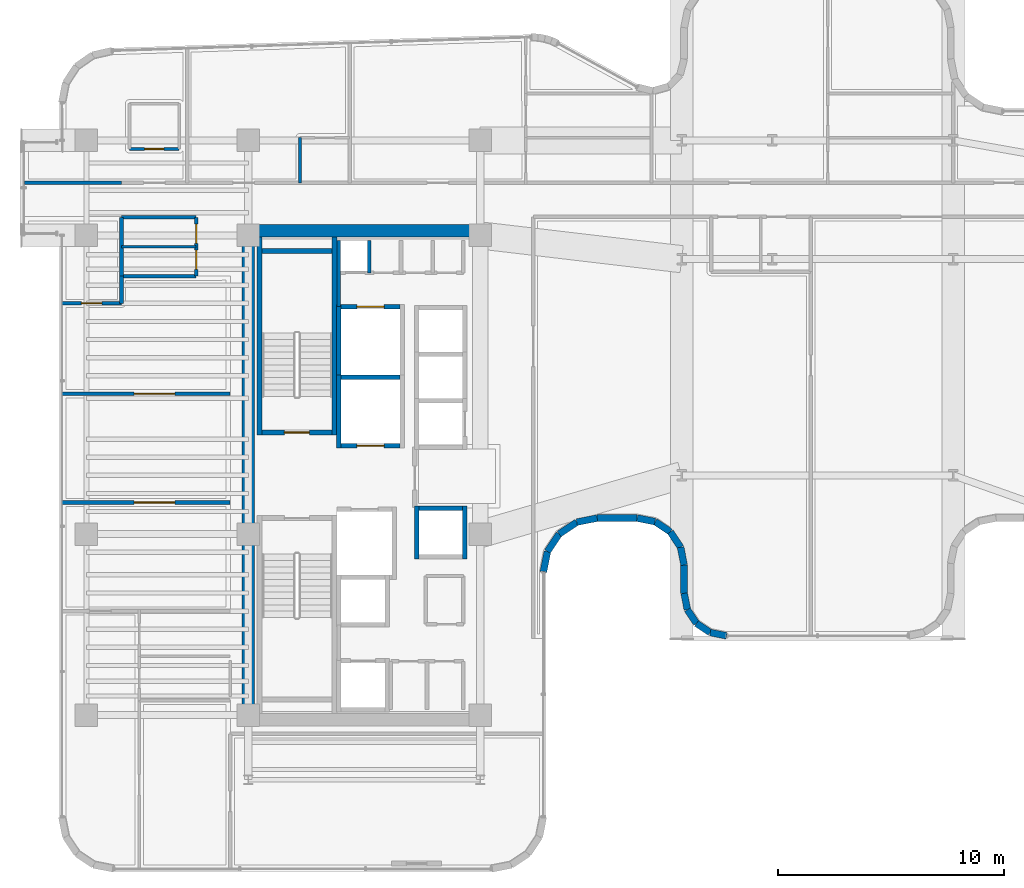
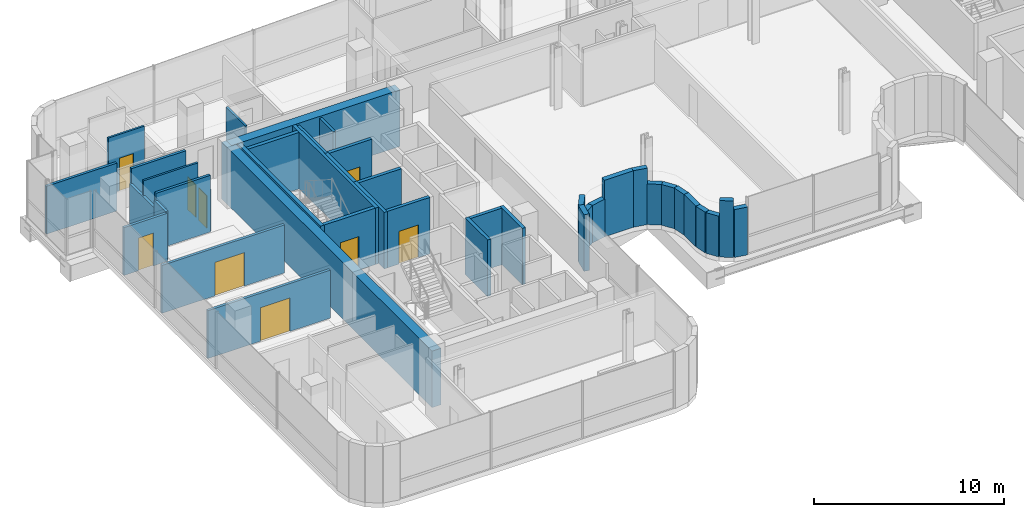
# One storey, part 28 of 39: 42 walls, 9 doors, 9 openings.
"""IFC4 building model written with IfcOpenShell, lengths in metres."""

from ifc_helpers import new_model, si_unit, direction, frame, frame_2d, origin, place, context, subcontext, project, spatial, rectangle, extrude, material, layer, layer_set, type_object, element, fill, save


model = new_model("IFC4")

# Units and contexts
model_context = context("Model", 3, precision=1e-05, world=origin(), true_north=direction((0.0, 1.0)))
body_context = subcontext(model_context, "Body", "Model", "MODEL_VIEW")
ifc_project = project(units=[si_unit("LENGTHUNIT", "METRE"), si_unit("AREAUNIT", "SQUARE_METRE"), si_unit("VOLUMEUNIT", "CUBIC_METRE"), si_unit("PLANEANGLEUNIT", "RADIAN"), si_unit("MASSUNIT", "GRAM", prefix="KILO")], contexts=[model_context])

# Site, building, storey
site_placement = place(None, origin())
site = spatial("IfcSite", under=ifc_project, at=site_placement, CompositionType="ELEMENT")
building_placement = place(site_placement, origin())
building = spatial("IfcBuilding", under=site, at=building_placement, Name="Valdorenza Pilgrim Sanctuary Tower", CompositionType="ELEMENT")
storey_placement = place(building_placement, frame((0.0, 0.0, 184.449951171875)))
storey = spatial("IfcBuildingStorey", under=building, at=storey_placement, Name="L47", CompositionType="ELEMENT", Elevation=184.449951171875)

# Walls
ifc_material_1 = material(Name="Acoustic twin-stud gypsum partition", Category="gypsum")
ifc_layer_1 = layer(ifc_material_1, 0.159912109375, Name="Acoustic twin-stud gypsum partition")
ifc_layer_set_1 = layer_set([ifc_layer_1], Name="Acoustic twin-stud gypsum partition")
wall_type_1 = type_object("IfcWallType", Name="WAL-COR-160", PredefinedType="PARTITIONING", material=ifc_layer_set_1)
wall_1_placement = place(storey_placement, frame((-18.64990234375, 7.449951171875, 0.0), z_axis=(0.0, 0.0, 1.0), x_axis=(0.0, 1.0, 0.0)))
element("IfcWall", 1, at=wall_1_placement, inside=storey, type_object=wall_type_1, Name="L47 Core A North Service West Wall", PredefinedType="PARTITIONING", context=body_context, shape_type="SweptSolid", body=[
    extrude(rectangle(XDim=2.929931640625, YDim=0.159912109375, at=frame_2d((1.46484375, 0.0))), origin(), (0.0, 0.0, 1.0), 3.630126953125),
])
wall_2_placement = place(storey_placement, frame((-17.300048828125, 8.949951171875, 0.0), z_axis=(0.0, 0.0, 1.0), x_axis=(0.0, 1.0, 0.0)))
element("IfcWall", 2, at=wall_2_placement, inside=storey, type_object=wall_type_1, Name="L47 Core Electrical Riser Wall", PredefinedType="PARTITIONING", context=body_context, shape_type="SweptSolid", body=[
    extrude(rectangle(XDim=1.429931640625, YDim=0.159912109375, at=frame_2d((0.71484375, 0.0))), origin(), (0.0, 0.0, 1.0), 3.630126953125),
])
wall_3_placement = place(storey_placement, frame((-28.25, 8.800048828125, 0.0), z_axis=(0.0, 0.0, 1.0), x_axis=(0.0, 1.0, 0.0)))
element("IfcWall", 3, at=wall_3_placement, inside=storey, type_object=wall_type_1, Name="L47 Washroom West Wall", PredefinedType="PARTITIONING", context=body_context, shape_type="SweptSolid", body=[
    extrude(rectangle(XDim=2.599853515625, YDim=0.159912109375, at=frame_2d((1.2998046875, 0.0))), origin(), (0.0, 0.0, 1.0), 2.6650390625),
])

# Wall, openings, doors
wall_4_placement = place(storey_placement, frame((-24.949951171875, 8.800048828125, 0.0), z_axis=(0.0, 0.0, 1.0), x_axis=(0.0, 1.0, 0.0)))
wall_4 = element("IfcWall", 4, at=wall_4_placement, inside=storey, type_object=wall_type_1, Name="L47 Washroom East Wall", PredefinedType="PARTITIONING", context=body_context, shape_type="SweptSolid", body=[
    extrude(rectangle(XDim=2.599853515625, YDim=0.159912109375, at=frame_2d((1.2998046875, 0.0))), origin(), (0.0, 0.0, 1.0), 2.6650390625),
])
opening_1_placement = place(wall_4_placement, frame((0.300048828125, 0.0, 0.0)))
opening_1 = element("IfcOpeningElement", 5, at=opening_1_placement, cuts=wall_4, Name="Opening DR-WC1", PredefinedType="OPENING", context=body_context, shape_type="SweptSolid", body=[
    extrude(rectangle(XDim=0.85009765625, YDim=2.10009765625, at=frame_2d((0.425048828125, 1.050048828125))), frame((0.0, 0.0947265625, 0.0), z_axis=(0.0, -1.0, 0.0), x_axis=(1.0, 0.0, 0.0)), (0.0, 0.0, 1.0), 0.189697265625),
])
opening_2_placement = place(wall_4_placement, frame((1.449951171875, 0.0, 0.0)))
opening_2 = element("IfcOpeningElement", 6, at=opening_2_placement, cuts=wall_4, Name="Opening DR-WC1", PredefinedType="OPENING", context=body_context, shape_type="SweptSolid", body=[
    extrude(rectangle(XDim=0.85009765625, YDim=2.10009765625, at=frame_2d((0.425048828125, 1.050048828125))), frame((0.0, 0.0947265625, 0.0), z_axis=(0.0, -1.0, 0.0), x_axis=(1.0, 0.0, 0.0)), (0.0, 0.0, 1.0), 0.189697265625),
])
ifc_material_2 = material(Name="Moisture-resistant lacquered timber", Category="wood")
door_type_1 = type_object("IfcDoorType", Name="DR-BATH-850", OperationType="NOTDEFINED", PredefinedType="DOOR", material=ifc_material_2)
door_1_placement = place(opening_1_placement, origin())
door_1 = element("IfcDoor", 7, at=door_1_placement, inside=storey, type_object=door_type_1, Name="L47 Accessible Washroom Door", OperationType="SINGLE_SWING_RIGHT", OverallHeight=2.10009765625, OverallWidth=0.85009765625, PredefinedType="DOOR", context=body_context, shape_type="SweptSolid", body=[
    extrude(rectangle(XDim=0.85009765625, YDim=2.10009765625, at=frame_2d((0.425048828125, 1.050048828125))), frame((0.0, 0.02490234375, 0.0), z_axis=(0.0, -1.0, 0.0), x_axis=(1.0, 0.0, 0.0)), (0.0, 0.0, 1.0), 0.050048828125),
])
fill(opening_1, door_1)
door_2_placement = place(opening_2_placement, origin())
door_2 = element("IfcDoor", 8, at=door_2_placement, inside=storey, type_object=door_type_1, Name="L47 Public Washroom Door", OperationType="SINGLE_SWING_LEFT", OverallHeight=2.10009765625, OverallWidth=0.85009765625, PredefinedType="DOOR", context=body_context, shape_type="SweptSolid", body=[
    extrude(rectangle(XDim=0.85009765625, YDim=2.10009765625, at=frame_2d((0.425048828125, 1.050048828125))), frame((0.0, 0.02490234375, 0.0), z_axis=(0.0, -1.0, 0.0), x_axis=(1.0, 0.0, 0.0)), (0.0, 0.0, 1.0), 0.050048828125),
])
fill(opening_2, door_2)

# Walls
for number, where, z_axis, x_axis, name in (
    (9, (-28.25, 8.800048828125, 0.0), (0.0, 0.0, 1.0), (1.0, 0.0, 0.0), "L47 Washroom South Wall"),
    (10, (-28.25, 11.39990234375, 0.0), (0.0, 0.0, 1.0), (1.0, 0.0, 0.0), "L47 Washroom North Wall"),
):
    element("IfcWall", number, at=place(storey_placement, frame(where, z_axis=z_axis, x_axis=x_axis)), inside=storey, type_object=wall_type_1, Name=name, PredefinedType="PARTITIONING", context=body_context, shape_type="SweptSolid", body=[
        extrude(rectangle(XDim=3.300048828125, YDim=0.159912109375, at=frame_2d((1.64990234375, 0.0))), origin(), (0.0, 0.0, 1.0), 3.630126953125),
    ])

# Wall, opening, door
wall_5_placement = place(storey_placement, frame((-30.889892578125, 7.60009765625, 0.0), z_axis=(0.0, 0.0, 1.0), x_axis=(1.0, 0.0, 0.0)))
wall_5 = element("IfcWall", 11, at=wall_5_placement, inside=storey, type_object=wall_type_1, Name="L47 Cloister North Room Wall", PredefinedType="PARTITIONING", context=body_context, shape_type="SweptSolid", body=[
    extrude(rectangle(XDim=2.639892578125, YDim=0.159912109375, at=frame_2d((1.31982421875, 0.0))), origin(), (0.0, 0.0, 1.0), 3.075927734375),
])
opening_3_placement = place(wall_5_placement, frame((0.8701171875, 0.0, 0.0)))
opening_3 = element("IfcOpeningElement", 12, at=opening_3_placement, cuts=wall_5, Name="Opening DR-RM1", PredefinedType="OPENING", context=body_context, shape_type="SweptSolid", body=[
    extrude(rectangle(XDim=0.89990234375, YDim=2.10009765625, at=frame_2d((0.449951171875, 1.050048828125))), frame((0.0, 0.0947265625, 0.0), z_axis=(0.0, -1.0, 0.0), x_axis=(1.0, 0.0, 0.0)), (0.0, 0.0, 1.0), 0.189697265625),
])
ifc_material_3 = material(Name="Solid-core European oak timber", Category="wood")
door_type_2 = type_object("IfcDoorType", Name="DR-ROOM-900", OperationType="NOTDEFINED", PredefinedType="DOOR", material=ifc_material_3)
door_3_placement = place(opening_3_placement, origin())
door_3 = element("IfcDoor", 13, at=door_3_placement, inside=storey, type_object=door_type_2, Name="L47 Pilgrim Scholar Office L47-1 Door", OperationType="SINGLE_SWING_RIGHT", OverallHeight=2.10009765625, OverallWidth=0.89990234375, PredefinedType="DOOR", context=body_context, shape_type="SweptSolid", body=[
    extrude(rectangle(XDim=0.89990234375, YDim=2.10009765625, at=frame_2d((0.449951171875, 1.050048828125))), frame((0.0, 0.02490234375, 0.0), z_axis=(0.0, -1.0, 0.0), x_axis=(1.0, 0.0, 0.0)), (0.0, 0.0, 1.0), 0.050048828125),
])
fill(opening_3, door_3)

# Wall
wall_6_placement = place(storey_placement, frame((-28.25, 7.60009765625, 0.0), z_axis=(0.0, 0.0, 1.0), x_axis=(0.0, 1.0, 0.0)))
element("IfcWall", 14, at=wall_6_placement, inside=storey, type_object=wall_type_1, Name="L47 Cloister NE Closure", PredefinedType="PARTITIONING", context=body_context, shape_type="SweptSolid", body=[
    extrude(rectangle(XDim=1.199951171875, YDim=0.159912109375, at=frame_2d((0.60009765625, 0.0))), origin(), (0.0, 0.0, 1.0), 3.157958984375),
])

# Wall, opening, door
wall_7_placement = place(storey_placement, frame((-30.889892578125, -1.199951171875, 0.0), z_axis=(0.0, 0.0, 1.0), x_axis=(1.0, 0.0, 0.0)))
wall_7 = element("IfcWall", 15, at=wall_7_placement, inside=storey, type_object=wall_type_1, Name="L47 Cloister Mid Wall 1", PredefinedType="PARTITIONING", context=body_context, shape_type="SweptSolid", body=[
    extrude(rectangle(XDim=7.43994140625, YDim=0.159912109375, at=frame_2d((3.719970703125, 0.0))), origin(), (0.0, 0.0, 1.0), 3.075927734375),
])
opening_4_placement = place(wall_7_placement, frame((3.199951171875, 0.0, 0.0)))
opening_4 = element("IfcOpeningElement", 16, at=opening_4_placement, cuts=wall_7, Name="Opening DR-HL1", PredefinedType="OPENING", context=body_context, shape_type="SweptSolid", body=[
    extrude(rectangle(XDim=1.800048828125, YDim=2.14990234375, at=frame_2d((0.89990234375, 1.074951171875))), frame((0.0, 0.0947265625, 0.0), z_axis=(0.0, -1.0, 0.0), x_axis=(1.0, 0.0, 0.0)), (0.0, 0.0, 1.0), 0.189697265625),
])
ifc_material_4 = material(Name="Acoustic oak and vision-glass double door", Category="glass")
door_type_3 = type_object("IfcDoorType", Name="DR-HALL-1800", OperationType="NOTDEFINED", PredefinedType="DOOR", material=ifc_material_4)
door_4_placement = place(opening_4_placement, frame((1.800048828125, 0.0, 0.0), z_axis=(0.0, 0.0, 1.0), x_axis=(-1.0, 0.0, 0.0)))
door_4 = element("IfcDoor", 17, at=door_4_placement, inside=storey, type_object=door_type_3, Name="L47 Cloister South-Mid Double Door", OperationType="DOUBLE_DOOR_SINGLE_SWING", OverallHeight=2.14990234375, OverallWidth=1.800048828125, PredefinedType="DOOR", context=body_context, shape_type="SweptSolid", body=[
    extrude(rectangle(XDim=1.800048828125, YDim=2.14990234375, at=frame_2d((0.89990234375, 1.074951171875))), frame((0.0, 0.02490234375, 0.0), z_axis=(0.0, -1.0, 0.0), x_axis=(1.0, 0.0, 0.0)), (0.0, 0.0, 1.0), 0.050048828125),
])
fill(opening_4, door_4)

wall_8_placement = place(storey_placement, frame((-30.889892578125, 3.60009765625, 0.0), z_axis=(0.0, 0.0, 1.0), x_axis=(1.0, 0.0, 0.0)))
wall_8 = element("IfcWall", 18, at=wall_8_placement, inside=storey, type_object=wall_type_1, Name="L47 Cloister Mid Wall 2", PredefinedType="PARTITIONING", context=body_context, shape_type="SweptSolid", body=[
    extrude(rectangle(XDim=7.43994140625, YDim=0.159912109375, at=frame_2d((3.719970703125, 0.0))), origin(), (0.0, 0.0, 1.0), 3.075927734375),
])
opening_5_placement = place(wall_8_placement, frame((3.199951171875, 0.0, 0.0)))
opening_5 = element("IfcOpeningElement", 19, at=opening_5_placement, cuts=wall_8, Name="Opening DR-HL1", PredefinedType="OPENING", context=body_context, shape_type="SweptSolid", body=[
    extrude(rectangle(XDim=1.800048828125, YDim=2.14990234375, at=frame_2d((0.89990234375, 1.074951171875))), frame((0.0, 0.0947265625, 0.0), z_axis=(0.0, -1.0, 0.0), x_axis=(1.0, 0.0, 0.0)), (0.0, 0.0, 1.0), 0.189697265625),
])
door_5_placement = place(opening_5_placement, origin())
door_5 = element("IfcDoor", 20, at=door_5_placement, inside=storey, type_object=door_type_3, Name="L47 Cloister Mid-North Double Door", OperationType="DOUBLE_DOOR_SINGLE_SWING", OverallHeight=2.14990234375, OverallWidth=1.800048828125, PredefinedType="DOOR", context=body_context, shape_type="SweptSolid", body=[
    extrude(rectangle(XDim=1.800048828125, YDim=2.14990234375, at=frame_2d((0.89990234375, 1.074951171875))), frame((0.0, 0.02490234375, 0.0), z_axis=(0.0, -1.0, 0.0), x_axis=(1.0, 0.0, 0.0)), (0.0, 0.0, 1.0), 0.050048828125),
])
fill(opening_5, door_5)

# Walls
wall_9_placement = place(storey_placement, frame((-32.5400390625, 12.919921875, 0.0), z_axis=(0.0, 0.0, 1.0), x_axis=(1.0, 0.0, 0.0)))
element("IfcWall", 21, at=wall_9_placement, inside=storey, type_object=wall_type_1, Name="L47 Cloister North Solid Partition", PredefinedType="PARTITIONING", context=body_context, shape_type="SweptSolid", body=[
    extrude(rectangle(XDim=4.2900390625, YDim=0.159912109375, at=frame_2d((2.14501953125, 0.0))), origin(), (0.0, 0.0, 1.0), 3.075927734375),
])
ifc_material_5 = material(Name="Concrete C50/60", Category="concrete")
ifc_layer_2 = layer(ifc_material_5, 0.550048828125, Name="Concrete C50/60")
ifc_layer_set_2 = layer_set([ifc_layer_2], Name="Concrete C50/60")
wall_type_2 = type_object("IfcWallType", Name="WAL-COR-550", PredefinedType="SHEAR", material=ifc_layer_set_2)
wall_10_placement = place(storey_placement, frame((-22.64990234375, -11.074951171875, 0.0), z_axis=(0.0, 0.0, 1.0), x_axis=(0.0, 1.0, 0.0)))
element("IfcWall", 22, at=wall_10_placement, inside=storey, type_object=wall_type_2, Name="L47 Split Core A Shear Wall W", PredefinedType="SHEAR", context=body_context, shape_type="SweptSolid", body=[
    extrude(rectangle(XDim=22.14990234375, YDim=0.550048828125, at=frame_2d((11.074951171875, 0.0))), origin(), (0.0, 0.0, 1.0), 3.630126953125),
])
wall_11_placement = place(storey_placement, frame((-22.64990234375, 10.800048828125, 0.0), z_axis=(0.0, 0.0, 1.0), x_axis=(1.0, 0.0, 0.0)))
element("IfcWall", 23, at=wall_11_placement, inside=storey, type_object=wall_type_2, Name="L47 Split Core A Shear Wall N", PredefinedType="SHEAR", context=body_context, shape_type="SweptSolid", body=[
    extrude(rectangle(XDim=10.25, YDim=0.550048828125, at=frame_2d((5.125, 0.0))), origin(), (0.0, 0.0, 1.0), 3.630126953125),
])
ifc_material_6 = material(Name="Honed travertine limestone", Category="masonry")
ifc_layer_3 = layer(ifc_material_6, 0.300048828125, Name="Honed travertine limestone")
ifc_layer_set_3 = layer_set([ifc_layer_3], Name="Honed travertine limestone")
wall_type_3 = type_object("IfcWallType", Name="WAL-EXT-300", PredefinedType="SOLIDWALL", material=ifc_layer_set_3)
wall_12_placement = place(storey_placement, frame((-1.51318359375, -7.090087890625, 0.0), z_axis=(0.0, 0.0, 1.0), x_axis=(-0.980783640462, 0.195098566376, 0.0)))
element("IfcWall", 24, at=wall_12_placement, inside=storey, type_object=wall_type_3, Name="L47 Rounded Wind-Corner Stone Pier 63", PredefinedType="SOLIDWALL", context=body_context, shape_type="SweptSolid", body=[
    extrude(rectangle(XDim=0.73828125, YDim=0.300048828125, at=frame_2d((0.369140625, 0.0))), origin(), (0.0, 0.0, 1.0), 3.075927734375),
])
wall_13_placement = place(storey_placement, frame((-2.2373046875, -6.946044921875, 0.0), z_axis=(0.0, 0.0, 1.0), x_axis=(-0.831378135196, 0.555707113792, 0.0)))
element("IfcWall", 25, at=wall_13_placement, inside=storey, type_object=wall_type_3, Name="L47 Rounded Wind-Corner Stone Pier 64", PredefinedType="SOLIDWALL", context=body_context, shape_type="SweptSolid", body=[
    extrude(rectangle(XDim=0.72705078125, YDim=0.300048828125, at=frame_2d((0.363525390625, 0.0))), origin(), (0.0, 0.0, 1.0), 3.630126953125),
])
wall_14_placement = place(storey_placement, frame((-2.841796875, -6.5419921875, 0.0), z_axis=(0.0, 0.0, 1.0), x_axis=(-0.555784030735, 0.83132671747, 0.0)))
element("IfcWall", 26, at=wall_14_placement, inside=storey, type_object=wall_type_3, Name="L47 Rounded Wind-Corner Stone Pier 65", PredefinedType="SOLIDWALL", context=body_context, shape_type="SweptSolid", body=[
    extrude(rectangle(XDim=0.7275390625, YDim=0.300048828125, at=frame_2d((0.36376953125, 0.0))), origin(), (0.0, 0.0, 1.0), 2.614990234375),
])
wall_15_placement = place(storey_placement, frame((-3.24609375, -5.937255859375, 0.0), z_axis=(0.0, 0.0, 1.0), x_axis=(-0.194780446724, 0.980846867546, 0.0)))
element("IfcWall", 27, at=wall_15_placement, inside=storey, type_object=wall_type_3, Name="L47 Rounded Wind-Corner Stone Pier 66", PredefinedType="SOLIDWALL", context=body_context, shape_type="SweptSolid", body=[
    extrude(rectangle(XDim=0.73828125, YDim=0.300048828125, at=frame_2d((0.369140625, 0.0))), origin(), (0.0, 0.0, 1.0), 2.614990234375),
])
wall_16_placement = place(storey_placement, frame((-3.389892578125, -5.213134765625, 0.0), z_axis=(0.0, 0.0, 1.0), x_axis=(0.0, 1.0, 0.0)))
element("IfcWall", 28, at=wall_16_placement, inside=storey, type_object=wall_type_3, Name="L47 Rounded Wind-Corner Stone Pier 67", PredefinedType="SOLIDWALL", context=body_context, shape_type="SweptSolid", body=[
    extrude(rectangle(XDim=1.248046875, YDim=0.300048828125, at=frame_2d((0.6240234375, 0.0))), origin(), (0.0, 0.0, 1.0), 2.614990234375),
])
wall_17_placement = place(storey_placement, frame((-3.389892578125, -3.965087890625, 0.0), z_axis=(0.0, 0.0, 1.0), x_axis=(-0.195356525272, 0.980732291726, 0.0)))
element("IfcWall", 29, at=wall_17_placement, inside=storey, type_object=wall_type_3, Name="L47 Rounded Wind-Corner Stone Pier 68", PredefinedType="SOLIDWALL", context=body_context, shape_type="SweptSolid", body=[
    extrude(rectangle(XDim=0.803466796875, YDim=0.300048828125, at=frame_2d((0.40185546875, 0.0))), origin(), (0.0, 0.0, 1.0), 2.614990234375),
])
for number, where, z_axis, x_axis, name in (
    (30, (-3.546875, -3.177001953125, 0.0), (0.0, 0.0, 1.0), (-0.555529688413, 0.831496701913, 0.0), "L47 Rounded Wind-Corner Stone Pier 69"),
    (31, (-3.99951171875, -2.49951171875, 0.0), (0.0, 0.0, 1.0), (-0.831496701913, 0.555529688413, 0.0), "L47 Rounded Wind-Corner Stone Pier 70"),
):
    element("IfcWall", number, at=place(storey_placement, frame(where, z_axis=z_axis, x_axis=x_axis)), inside=storey, type_object=wall_type_3, Name=name, PredefinedType="SOLIDWALL", context=body_context, shape_type="SweptSolid", body=[
        extrude(rectangle(XDim=0.814697265625, YDim=0.300048828125, at=frame_2d((0.4072265625, 0.0))), origin(), (0.0, 0.0, 1.0), 2.614990234375),
    ])
wall_18_placement = place(storey_placement, frame((-4.677001953125, -2.046875, 0.0), z_axis=(0.0, 0.0, 1.0), x_axis=(-0.980732291726, 0.195356525272, 0.0)))
element("IfcWall", 32, at=wall_18_placement, inside=storey, type_object=wall_type_3, Name="L47 Rounded Wind-Corner Stone Pier 71", PredefinedType="SOLIDWALL", context=body_context, shape_type="SweptSolid", body=[
    extrude(rectangle(XDim=0.803466796875, YDim=0.300048828125, at=frame_2d((0.40185546875, 0.0))), origin(), (0.0, 0.0, 1.0), 3.630126953125),
])
wall_19_placement = place(storey_placement, frame((-5.465087890625, -1.889892578125, 0.0), z_axis=(0.0, 0.0, 1.0), x_axis=(-1.0, 0.0, 0.0)))
element("IfcWall", 33, at=wall_19_placement, inside=storey, type_object=wall_type_3, Name="L47 Rounded Wind-Corner Stone Pier 72", PredefinedType="SOLIDWALL", context=body_context, shape_type="SweptSolid", body=[
    extrude(rectangle(XDim=1.765625, YDim=0.300048828125, at=frame_2d((0.8828125, 0.0))), origin(), (0.0, 0.0, 1.0), 3.630126953125),
])
wall_20_placement = place(storey_placement, frame((-7.230712890625, -1.889892578125, 0.0), z_axis=(0.0, 0.0, 1.0), x_axis=(-0.980743190895, -0.195301801101, 0.0)))
element("IfcWall", 34, at=wall_20_placement, inside=storey, type_object=wall_type_3, Name="L47 Rounded Wind-Corner Stone Pier 73", PredefinedType="SOLIDWALL", context=body_context, shape_type="SweptSolid", body=[
    extrude(rectangle(XDim=0.922607421875, YDim=0.300048828125, at=frame_2d((0.46142578125, 0.0))), origin(), (0.0, 0.0, 1.0), 2.4150390625),
])
wall_21_placement = place(storey_placement, frame((-8.135498046875, -2.070068359375, 0.0), z_axis=(0.0, 0.0, 1.0), x_axis=(-0.831607331814, -0.555364065883, 0.0)))
element("IfcWall", 35, at=wall_21_placement, inside=storey, type_object=wall_type_3, Name="L47 Rounded Wind-Corner Stone Pier 74", PredefinedType="SOLIDWALL", context=body_context, shape_type="SweptSolid", body=[
    extrude(rectangle(XDim=0.933349609375, YDim=0.300048828125, at=frame_2d((0.466796875, 0.0))), origin(), (0.0, 0.0, 1.0), 2.4150390625),
])
wall_22_placement = place(storey_placement, frame((-8.91162109375, -2.58837890625, 0.0), z_axis=(0.0, 0.0, 1.0), x_axis=(-0.555364065883, -0.831607331814, 0.0)))
element("IfcWall", 36, at=wall_22_placement, inside=storey, type_object=wall_type_3, Name="L47 Rounded Wind-Corner Stone Pier 75", PredefinedType="SOLIDWALL", context=body_context, shape_type="SweptSolid", body=[
    extrude(rectangle(XDim=0.933349609375, YDim=0.300048828125, at=frame_2d((0.466796875, 0.0))), origin(), (0.0, 0.0, 1.0), 3.630126953125),
])
wall_23_placement = place(storey_placement, frame((-9.429931640625, -3.364501953125, 0.0), z_axis=(0.0, 0.0, 1.0), x_axis=(-0.195301801101, -0.980743190895, 0.0)))
element("IfcWall", 37, at=wall_23_placement, inside=storey, type_object=wall_type_3, Name="L47 Rounded Wind-Corner Stone Pier 76", PredefinedType="SOLIDWALL", context=body_context, shape_type="SweptSolid", body=[
    extrude(rectangle(XDim=0.922607421875, YDim=0.300048828125, at=frame_2d((0.46142578125, 0.0))), origin(), (0.0, 0.0, 1.0), 3.630126953125),
])
ifc_material_7 = material(Name="Moisture-resistant gypsum partition", Category="gypsum")
ifc_layer_4 = layer(ifc_material_7, 0.1201171875, Name="Moisture-resistant gypsum partition")
ifc_layer_set_4 = layer_set([ifc_layer_4], Name="Moisture-resistant gypsum partition")
wall_type_4 = type_object("IfcWallType", Name="WAL-INT-120", PredefinedType="PARTITIONING", material=ifc_layer_set_4)
wall_24_placement = place(storey_placement, frame((-28.25, 10.10009765625, 0.0), z_axis=(0.0, 0.0, 1.0), x_axis=(1.0, 0.0, 0.0)))
element("IfcWall", 38, at=wall_24_placement, inside=storey, type_object=wall_type_4, Name="L47 Washroom Divider Wall", PredefinedType="PARTITIONING", context=body_context, shape_type="SweptSolid", body=[
    extrude(rectangle(XDim=3.300048828125, YDim=0.1201171875, at=frame_2d((1.64990234375, 0.0))), origin(), (0.0, 0.0, 1.0), 3.630126953125),
])

# Wall, opening, door
wall_25_placement = place(storey_placement, frame((-27.901611328125, 14.419921875, 0.0), z_axis=(0.0, 0.0, 1.0), x_axis=(1.0, 0.0, 0.0)))
wall_25 = element("IfcWall", 39, at=wall_25_placement, inside=storey, type_object=wall_type_4, Name="L47 North Family Guest Room L47-N1A En-suite Door Wall", PredefinedType="PARTITIONING", context=body_context, shape_type="SweptSolid", body=[
    extrude(rectangle(XDim=2.199951171875, YDim=0.1201171875, at=frame_2d((1.10009765625, 0.0))), origin(), (0.0, 0.0, 1.0), 3.630126953125),
])
opening_6_placement = place(wall_25_placement, frame((0.675048828125, 0.0, 0.0)))
opening_6 = element("IfcOpeningElement", 40, at=opening_6_placement, cuts=wall_25, Name="Opening DR-WC1", PredefinedType="OPENING", context=body_context, shape_type="SweptSolid", body=[
    extrude(rectangle(XDim=0.85009765625, YDim=2.10009765625, at=frame_2d((0.425048828125, 1.050048828125))), frame((0.0, 0.074951171875, 0.0), z_axis=(0.0, -1.0, 0.0), x_axis=(1.0, 0.0, 0.0)), (0.0, 0.0, 1.0), 0.14990234375),
])
door_6_placement = place(opening_6_placement, origin())
door_6 = element("IfcDoor", 41, at=door_6_placement, inside=storey, type_object=door_type_1, Name="L47 North Family Guest Room L47-N1A En-suite Bathroom Door", OperationType="SINGLE_SWING_LEFT", OverallHeight=2.10009765625, OverallWidth=0.85009765625, PredefinedType="DOOR", context=body_context, shape_type="SweptSolid", body=[
    extrude(rectangle(XDim=0.85009765625, YDim=2.10009765625, at=frame_2d((0.425048828125, 1.050048828125))), frame((0.0, 0.02490234375, 0.0), z_axis=(0.0, -1.0, 0.0), x_axis=(1.0, 0.0, 0.0)), (0.0, 0.0, 1.0), 0.050048828125),
])
fill(opening_6, door_6)

# Walls
wall_26_placement = place(storey_placement, frame((-20.366943359375, 12.919921875, 0.0), z_axis=(0.0, 0.0, 1.0), x_axis=(0.0, 1.0, 0.0)))
element("IfcWall", 42, at=wall_26_placement, inside=storey, type_object=wall_type_4, Name="L47 North Family Guest Room L47-N1B En-suite West Wall", PredefinedType="PARTITIONING", context=body_context, shape_type="SweptSolid", body=[
    extrude(rectangle(XDim=2.0, YDim=0.1201171875, at=frame_2d((1.0, 0.0))), origin(), (0.0, 0.0, 1.0), 2.6650390625),
])
ifc_material_8 = material(Name="Autoclaved aerated concrete blockwork", Category="masonry")
ifc_layer_5 = layer(ifc_material_8, 0.199951171875, Name="Autoclaved aerated concrete blockwork")
ifc_layer_set_5 = layer_set([ifc_layer_5], Name="Autoclaved aerated concrete blockwork")
wall_type_5 = type_object("IfcWallType", Name="WAL-SHF-200", PredefinedType="MOVABLE", material=ifc_layer_set_5)
wall_27_placement = place(storey_placement, frame((-18.64990234375, 1.199951171875, 0.0), z_axis=(0.0, 0.0, 1.0), x_axis=(0.0, 1.0, 0.0)))
element("IfcWall", 43, at=wall_27_placement, inside=storey, type_object=wall_type_5, Name="L47 Lift FFL-01 Hoistway Wall West", PredefinedType="MOVABLE", context=body_context, shape_type="SweptSolid", body=[
    extrude(rectangle(XDim=3.22509765625, YDim=0.199951171875, at=frame_2d((1.612548828125, 0.0))), origin(), (0.0, 0.0, 1.0), 3.630126953125),
])

# Wall, opening, door
wall_28_placement = place(storey_placement, frame((-18.550048828125, 1.300048828125, 0.0), z_axis=(0.0, 0.0, 1.0), x_axis=(1.0, 0.0, 0.0)))
wall_28 = element("IfcWall", 44, at=wall_28_placement, inside=storey, type_object=wall_type_5, Name="L47 Lift FFL-01 Hoistway Wall South", PredefinedType="MOVABLE", context=body_context, shape_type="SweptSolid", body=[
    extrude(rectangle(XDim=2.60009765625, YDim=0.199951171875, at=frame_2d((1.300048828125, 0.0))), origin(), (0.0, 0.0, 1.0), 3.630126953125),
])
opening_7_placement = place(wall_28_placement, frame((0.699951171875, 0.0, 0.0)))
opening_7 = element("IfcOpeningElement", 45, at=opening_7_placement, cuts=wall_28, Name="Opening LD-02", PredefinedType="OPENING", context=body_context, shape_type="SweptSolid", body=[
    extrude(rectangle(XDim=1.199951171875, YDim=2.10009765625, at=frame_2d((0.60009765625, 1.050048828125))), frame((0.0, 0.11474609375, 0.0), z_axis=(0.0, -1.0, 0.0), x_axis=(1.0, 0.0, 0.0)), (0.0, 0.0, 1.0), 0.229736328125),
])
ifc_material_9 = material(Name="Brushed stainless steel Grade 316", Category="steel")
door_type_4 = type_object("IfcDoorType", Name="DR-LFT-1200", OperationType="DOUBLE_DOOR_SLIDING", PredefinedType="DOOR", material=ifc_material_9)
door_7_placement = place(opening_7_placement, origin())
door_7 = element("IfcDoor", 46, at=door_7_placement, inside=storey, type_object=door_type_4, Name="L47 Lift FFL-01 Sliding Landing Door", OperationType="DOUBLE_DOOR_SLIDING", OverallHeight=2.10009765625, OverallWidth=1.199951171875, PredefinedType="DOOR", context=body_context, shape_type="SweptSolid", body=[
    extrude(rectangle(XDim=1.199951171875, YDim=2.10009765625, at=frame_2d((0.60009765625, 1.050048828125))), frame((0.0, 0.02490234375, 0.0), z_axis=(0.0, -1.0, 0.0), x_axis=(1.0, 0.0, 0.0)), (0.0, 0.0, 1.0), 0.050048828125),
])
fill(opening_7, door_7)

# Walls
wall_29_placement = place(storey_placement, frame((-18.550048828125, 4.324951171875, 0.0), z_axis=(0.0, 0.0, 1.0), x_axis=(1.0, 0.0, 0.0)))
element("IfcWall", 47, at=wall_29_placement, inside=storey, type_object=wall_type_5, Name="L47 Lift FFL-01 Hoistway Wall North", PredefinedType="MOVABLE", context=body_context, shape_type="SweptSolid", body=[
    extrude(rectangle(XDim=2.60009765625, YDim=0.199951171875, at=frame_2d((1.300048828125, 0.0))), origin(), (0.0, 0.0, 1.0), 3.630126953125),
])
wall_30_placement = place(storey_placement, frame((-18.64990234375, 4.22509765625, 0.0), z_axis=(0.0, 0.0, 1.0), x_axis=(0.0, 1.0, 0.0)))
element("IfcWall", 48, at=wall_30_placement, inside=storey, type_object=wall_type_5, Name="L47 Lift SVL-01 Hoistway Wall West", PredefinedType="MOVABLE", context=body_context, shape_type="SweptSolid", body=[
    extrude(rectangle(XDim=3.324951171875, YDim=0.199951171875, at=frame_2d((1.66259765625, 0.0))), origin(), (0.0, 0.0, 1.0), 3.630126953125),
])

# Wall, opening, door
wall_31_placement = place(storey_placement, frame((-18.550048828125, 7.449951171875, 0.0), z_axis=(0.0, 0.0, 1.0), x_axis=(1.0, 0.0, 0.0)))
wall_31 = element("IfcWall", 49, at=wall_31_placement, inside=storey, type_object=wall_type_5, Name="L47 Lift SVL-01 Hoistway Wall North", PredefinedType="MOVABLE", context=body_context, shape_type="SweptSolid", body=[
    extrude(rectangle(XDim=2.60009765625, YDim=0.199951171875, at=frame_2d((1.300048828125, 0.0))), origin(), (0.0, 0.0, 1.0), 3.630126953125),
])
opening_8_placement = place(wall_31_placement, frame((0.699951171875, 0.0, 0.0)))
opening_8 = element("IfcOpeningElement", 50, at=opening_8_placement, cuts=wall_31, Name="Opening LD-02", PredefinedType="OPENING", context=body_context, shape_type="SweptSolid", body=[
    extrude(rectangle(XDim=1.199951171875, YDim=2.10009765625, at=frame_2d((0.60009765625, 1.050048828125))), frame((0.0, 0.11474609375, 0.0), z_axis=(0.0, -1.0, 0.0), x_axis=(1.0, 0.0, 0.0)), (0.0, 0.0, 1.0), 0.229736328125),
])
door_8_placement = place(opening_8_placement, origin())
door_8 = element("IfcDoor", 51, at=door_8_placement, inside=storey, type_object=door_type_4, Name="L47 Lift SVL-01 Sliding Landing Door", OperationType="DOUBLE_DOOR_SLIDING", OverallHeight=2.10009765625, OverallWidth=1.199951171875, PredefinedType="DOOR", context=body_context, shape_type="SweptSolid", body=[
    extrude(rectangle(XDim=1.199951171875, YDim=2.10009765625, at=frame_2d((0.60009765625, 1.050048828125))), frame((0.0, 0.02490234375, 0.0), z_axis=(0.0, -1.0, 0.0), x_axis=(1.0, 0.0, 0.0)), (0.0, 0.0, 1.0), 0.050048828125),
])
fill(opening_8, door_8)

# Walls
for number, where, z_axis, x_axis, name in (
    (52, (-15.199951171875, -3.699951171875, 0.0), (0.0, 0.0, 1.0), (0.0, 1.0, 0.0), "L47 Lift PL-12 Hoistway Wall West"),
    (53, (-13.080078125, -3.699951171875, 0.0), (0.0, 0.0, 1.0), (0.0, 1.0, 0.0), "L47 Lift PL-12 Hoistway Wall East"),
):
    element("IfcWall", number, at=place(storey_placement, frame(where, z_axis=z_axis, x_axis=x_axis)), inside=storey, type_object=wall_type_5, Name=name, PredefinedType="MOVABLE", context=body_context, shape_type="SweptSolid", body=[
        extrude(rectangle(XDim=2.349853515625, YDim=0.199951171875, at=frame_2d((1.1748046875, 0.0))), origin(), (0.0, 0.0, 1.0), 3.630126953125),
    ])
wall_32_placement = place(storey_placement, frame((-15.10009765625, -1.449951171875, 0.0), z_axis=(0.0, 0.0, 1.0), x_axis=(1.0, 0.0, 0.0)))
element("IfcWall", 54, at=wall_32_placement, inside=storey, type_object=wall_type_5, Name="L47 Lift PL-12 Hoistway Wall North", PredefinedType="MOVABLE", context=body_context, shape_type="SweptSolid", body=[
    extrude(rectangle(XDim=1.920166015625, YDim=0.199951171875, at=frame_2d((0.9599609375, 0.0))), origin(), (0.0, 0.0, 1.0), 3.630126953125),
])
ifc_material_10 = material(Name="Concrete C40/50", Category="concrete")
ifc_layer_6 = layer(ifc_material_10, 0.219970703125, Name="Concrete C40/50")
ifc_layer_set_6 = layer_set([ifc_layer_6], Name="Concrete C40/50")
wall_type_6 = type_object("IfcWallType", Name="WAL-STR-SHF-220", PredefinedType="SHEAR", material=ifc_layer_set_6)
for number, where, z_axis, x_axis, name in (
    (55, (-22.159912109375, 1.780029296875, 0.0), (0.0, 0.0, 1.0), (0.0, 1.0, 0.0), "L47 ST-A1 Structural Stairwell Wall W"),
    (56, (-18.830078125, 1.780029296875, 0.0), (0.0, 0.0, 1.0), (0.0, 1.0, 0.0), "L47 ST-A1 Structural Stairwell Wall E"),
):
    element("IfcWall", number, at=place(storey_placement, frame(where, z_axis=z_axis, x_axis=x_axis)), inside=storey, type_object=wall_type_6, Name=name, PredefinedType="SHEAR", context=body_context, shape_type="SweptSolid", body=[
        extrude(rectangle(XDim=8.744873046875, YDim=0.219970703125, at=frame_2d((4.37255859375, 0.0))), origin(), (0.0, 0.0, 1.0), 3.630126953125),
    ])

# Wall, opening, door
wall_33_placement = place(storey_placement, frame((-22.050048828125, 1.889892578125, 0.0), z_axis=(0.0, 0.0, 1.0), x_axis=(1.0, 0.0, 0.0)))
wall_33 = element("IfcWall", 57, at=wall_33_placement, inside=storey, type_object=wall_type_6, Name="L47 ST-A1 Structural Stairwell Wall S", PredefinedType="SHEAR", context=body_context, shape_type="SweptSolid", body=[
    extrude(rectangle(XDim=3.110107421875, YDim=0.219970703125, at=frame_2d((1.55517578125, 0.0))), origin(), (0.0, 0.0, 1.0), 3.630126953125),
])
opening_9_placement = place(wall_33_placement, frame((1.0, 0.0, 0.0)))
opening_9 = element("IfcOpeningElement", 58, at=opening_9_placement, cuts=wall_33, Name="Opening DR-ST1", PredefinedType="OPENING", context=body_context, shape_type="SweptSolid", body=[
    extrude(rectangle(XDim=1.10009765625, YDim=2.14990234375, at=frame_2d((0.550048828125, 1.074951171875))), frame((0.0, 0.125, 0.0), z_axis=(0.0, -1.0, 0.0), x_axis=(1.0, 0.0, 0.0)), (0.0, 0.0, 1.0), 0.249755859375),
])
ifc_material_11 = material(Name="Painted galvanized steel", Category="steel")
door_type_5 = type_object("IfcDoorType", Name="DR-STAIR-1100", OperationType="NOTDEFINED", PredefinedType="DOOR", material=ifc_material_11)
door_9_placement = place(opening_9_placement, frame((1.10009765625, 0.0, 0.0), z_axis=(0.0, 0.0, 1.0), x_axis=(-1.0, 0.0, 0.0)))
door_9 = element("IfcDoor", 59, at=door_9_placement, inside=storey, type_object=door_type_5, Name="L47 Exit Stair ST-A1 Door", OperationType="SINGLE_SWING_LEFT", OverallHeight=2.14990234375, OverallWidth=1.10009765625, PredefinedType="DOOR", context=body_context, shape_type="SweptSolid", body=[
    extrude(rectangle(XDim=1.10009765625, YDim=2.14990234375, at=frame_2d((0.550048828125, 1.074951171875))), frame((0.0, 0.02490234375, 0.0), z_axis=(0.0, -1.0, 0.0), x_axis=(1.0, 0.0, 0.0)), (0.0, 0.0, 1.0), 0.050048828125),
])
fill(opening_9, door_9)

# Wall
wall_34_placement = place(storey_placement, frame((-22.050048828125, 9.909912109375, 0.0), z_axis=(0.0, 0.0, 1.0), x_axis=(1.0, 0.0, 0.0)))
element("IfcWall", 60, at=wall_34_placement, inside=storey, type_object=wall_type_6, Name="L47 ST-A1 Structural Stairwell Wall N", PredefinedType="SHEAR", context=body_context, shape_type="SweptSolid", body=[
    extrude(rectangle(XDim=3.110107421875, YDim=0.219970703125, at=frame_2d((1.55517578125, 0.0))), origin(), (0.0, 0.0, 1.0), 3.630126953125),
])

save(model, "model.ifc")
